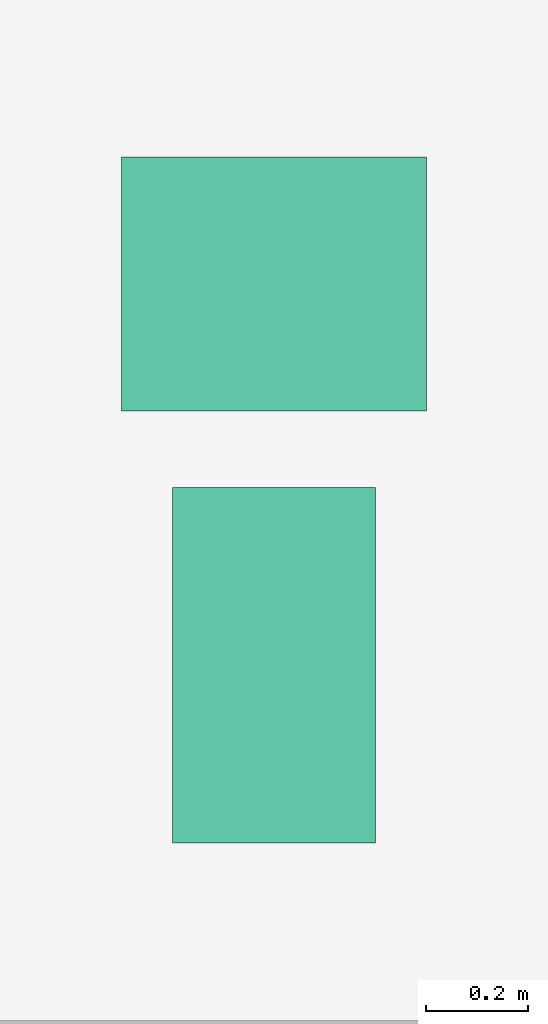
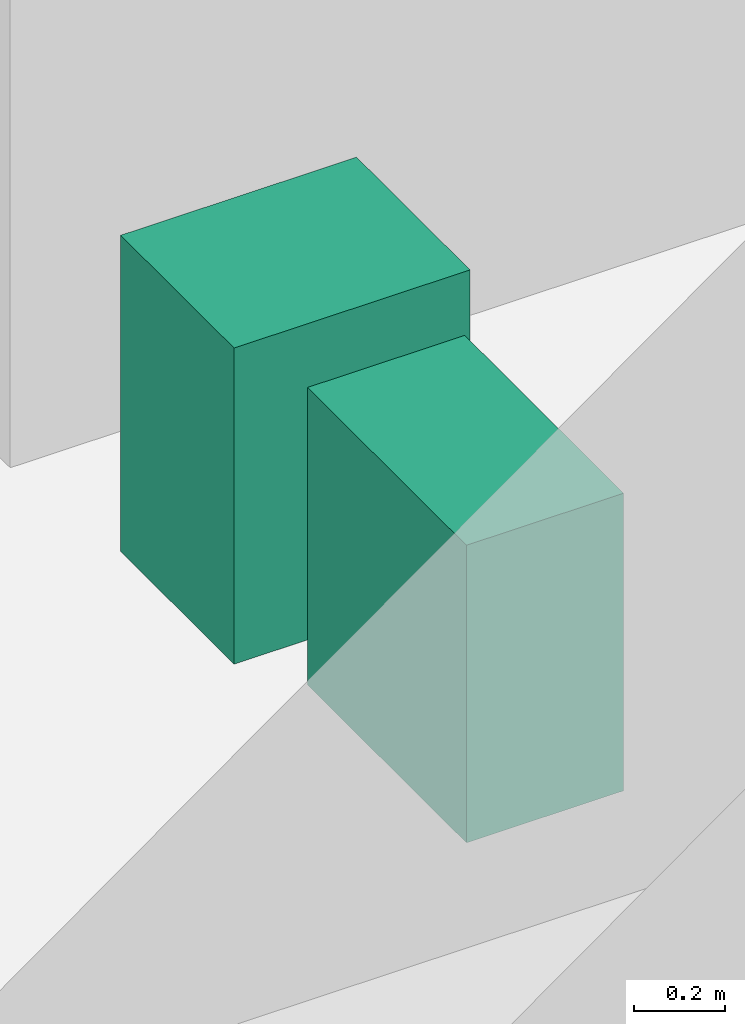
# One storey, part 10 of 10: 2 sanitary terminals.
"""IFC4 building model written with IfcOpenShell, lengths in metres."""

from ifc_helpers import new_model, si_unit, direction, frame, origin, origin_2d, place, context, subcontext, project, spatial, rectangle, extrude, element, save


model = new_model("IFC4")

# Units and contexts
model_context = context("Model", 3, precision=1e-05, world=origin(), true_north=direction((0.0, 1.0)))
body_context = subcontext(model_context, "Body", "Model", "MODEL_VIEW")
ifc_project = project(units=[si_unit("LENGTHUNIT", "METRE"), si_unit("AREAUNIT", "SQUARE_METRE"), si_unit("VOLUMEUNIT", "CUBIC_METRE"), si_unit("PLANEANGLEUNIT", "RADIAN"), si_unit("MASSUNIT", "GRAM", prefix="KILO")], contexts=[model_context])

# Site, building, storey
site_placement = place(None, origin())
site = spatial("IfcSite", under=ifc_project, at=site_placement, CompositionType="ELEMENT")
building_placement = place(site_placement, origin())
building = spatial("IfcBuilding", under=site, at=building_placement, Name="Loomwork Tower", CompositionType="ELEMENT")
storey_placement = place(building_placement, frame((0.0, 0.0, 274.800048828125)))
storey = spatial("IfcBuildingStorey", under=building, at=storey_placement, Name="L75", CompositionType="ELEMENT", Elevation=274.800048828125)

# Sanitary terminals
sanitary_terminal_1_placement = place(storey_placement, frame((16.199951171875, 12.10009765625, 0.0), z_axis=(0.0, 0.0, 1.0), x_axis=(1.0, 0.0, 0.0)))
element("IfcSanitaryTerminal", 1, at=sanitary_terminal_1_placement, inside=storey, Name="WC L75", PredefinedType="TOILETPAN", context=body_context, shape_type="SweptSolid", body=[
    extrude(rectangle(XDim=0.39990234375, YDim=0.699951171875, at=origin_2d()), origin(), (0.0, 0.0, 1.0), 0.800048828125),
])
sanitary_terminal_2_placement = place(storey_placement, frame((16.199951171875, 12.85009765625, 0.0), z_axis=(0.0, 0.0, 1.0), x_axis=(1.0, 0.0, 0.0)))
element("IfcSanitaryTerminal", 2, at=sanitary_terminal_2_placement, inside=storey, Name="Basin L75", PredefinedType="WASHHANDBASIN", context=body_context, shape_type="SweptSolid", body=[
    extrude(rectangle(XDim=0.60009765625, YDim=0.5, at=origin_2d()), origin(), (0.0, 0.0, 1.0), 0.85009765625),
])

save(model, "model.ifc")
